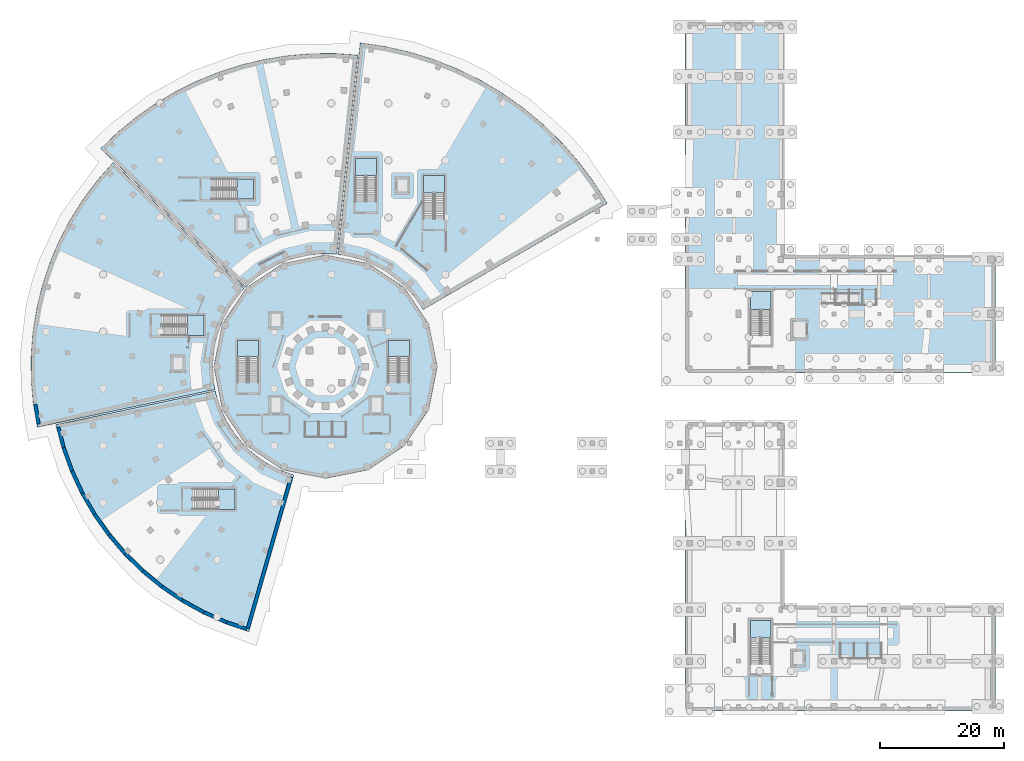
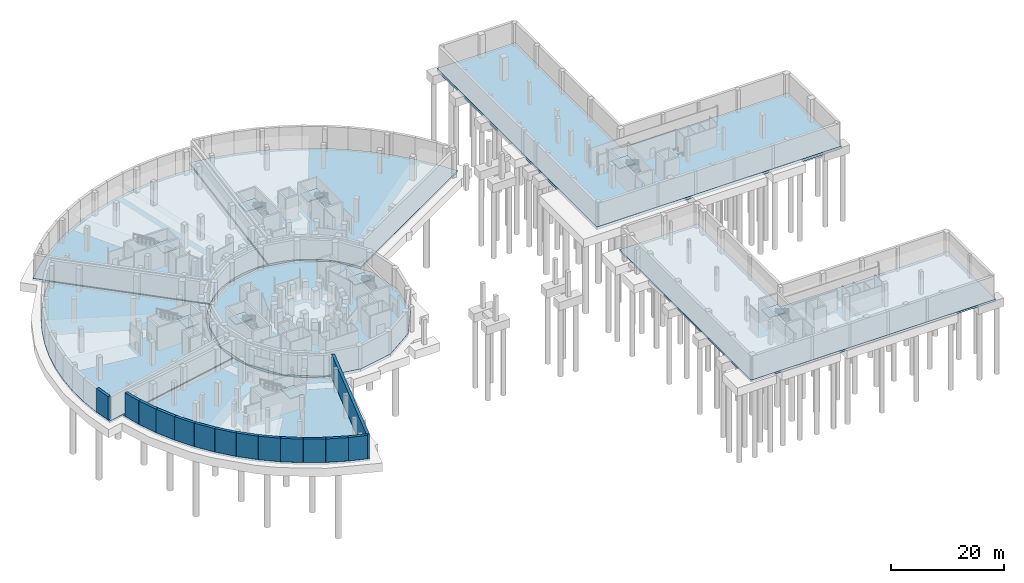
# One storey, part 7 of 33: 16 slabs, 14 walls, 9 elements without a shape of their own.
"""IFC4 building model written with IfcOpenShell, lengths in metres."""

from ifc_helpers import new_model, si_unit, direction, frame, frame_2d, origin, place, context, subcontext, project, spatial, polyline, rectangle, outline, extrude, material, layer, layer_set, type_object, element, aggregate, save


model = new_model("IFC4")

# Units and contexts
model_context = context("Model", 3, precision=1e-05, world=origin(), true_north=direction((0.0, 1.0)))
body_context = subcontext(model_context, "Body", "Model", "MODEL_VIEW")
ifc_project = project(units=[si_unit("LENGTHUNIT", "METRE"), si_unit("AREAUNIT", "SQUARE_METRE"), si_unit("VOLUMEUNIT", "CUBIC_METRE"), si_unit("PLANEANGLEUNIT", "RADIAN"), si_unit("MASSUNIT", "GRAM", prefix="KILO")], contexts=[model_context])

# Site, building, storey
site_placement = place(None, origin())
site = spatial("IfcSite", under=ifc_project, at=site_placement, CompositionType="ELEMENT")
building_placement = place(site_placement, origin())
building = spatial("IfcBuilding", under=site, at=building_placement, Name="Soyqirgoq Riverine Aquarium", CompositionType="ELEMENT")
storey_placement = place(building_placement, frame((0.0, 0.0, -5.39990234375)))
storey = spatial("IfcBuildingStorey", under=building, at=storey_placement, Name="B01", CompositionType="ELEMENT", Elevation=-5.39990234375)

# Slabs
ifc_material_1 = material(Name="Concrete C35/45", Category="concrete")
ifc_layer_1 = layer(ifc_material_1, 0.419921875)
ifc_layer_set_1 = layer_set([ifc_layer_1], Name="Concrete C35/45")
slab_type_1 = type_object("IfcSlabType", Name="BaseSlab_420_C35", PredefinedType="BASESLAB", material=ifc_layer_set_1)
slab_1_placement = place(storey_placement, frame((0.0, 0.0, -0.420166015625)))
element("IfcSlab", 1, at=slab_1_placement, inside=storey, type_object=slab_type_1, Name="V2 B01 Basement Base Slab", PredefinedType="BASESLAB", context=body_context, shape_type="SweptSolid", body=[
    extrude(outline(polyline([(38.205810546875, 53.105224609375), (12.5, 47.641357421875), (13.482421875, 43.86572265625), (14.837890625, 40.09033203125), (16.528076171875, 36.4521484375), (18.538818359375, 32.981201171875), (20.85400390625, 29.705078125), (23.454833984375, 26.651123046875), (26.320068359375, 23.843505859375), (29.426513671875, 21.305419921875), (32.748779296875, 19.0576171875), (36.260009765625, 17.117919921875), (39.931884765625, 15.502197265625), (43.6298828125, 14.259033203125), (50.87353515625, 39.52099609375), (49.421142578125, 40.00927734375), (49.109375, 40.146240234375), (49.02587890625, 40.1630859375), (48.9375, 40.221923828125), (47.917724609375, 40.670654296875), (46.47998046875, 41.46484375), (45.119873046875, 42.38525390625), (43.847900390625, 43.424560546875), (43.211669921875, 44.0478515625), (43.113525390625, 44.113525390625), (43.05419921875, 44.2021484375), (42.6748046875, 44.573974609375), (41.60986328125, 45.824462890625), (40.661865234375, 47.165771484375), (39.838623046875, 48.5869140625), (39.186767578125, 49.990234375), (39.1630859375, 50.02587890625), (38.591796875, 51.622314453125), (38.205810546875, 53.105224609375)])), origin(), (0.0, 0.0, 1.0), 0.420166015625),
])
slab_2_placement = place(storey_placement, frame((0.0, 0.0, -0.420166015625)))
element("IfcSlab", 2, at=slab_2_placement, inside=storey, type_object=slab_type_1, Name="V3 B01 Basement Base Slab", PredefinedType="BASESLAB", context=body_context, shape_type="SweptSolid", body=[
    extrude(outline(polyline([(41.014404296875, 67.363525390625), (41.9072265625, 68.54833984375), (42.8203125, 69.574462890625), (21.75830078125, 89.9140625), (19.260009765625, 87.10693359375), (16.932373046875, 84.01806640625), (14.86376953125, 80.75), (13.06787109375, 77.324462890625), (11.556640625, 73.76416015625), (10.340087890625, 70.0927734375), (9.42626953125, 66.33447265625), (8.8212890625, 62.514404296875), (8.52880859375, 58.65771484375), (8.551513671875, 54.7900390625), (8.888427734375, 50.93701171875), (9.51953125, 47.232666015625), (38.15966796875, 53.3203125), (37.928955078125, 54.67431640625), (37.7998046875, 56.15234375), (37.79541015625, 56.901123046875), (37.775634765625, 57.0), (37.794189453125, 57.09326171875), (37.791015625, 57.635986328125), (37.9033203125, 59.115234375), (38.13525390625, 60.58056640625), (38.48583984375, 62.022216796875), (38.952392578125, 63.430419921875), (39.14501953125, 63.884033203125), (39.1630859375, 63.97412109375), (39.21875, 64.0576171875), (39.531982421875, 64.7958984375), (40.220947265625, 66.110107421875), (41.014404296875, 67.363525390625)])), origin(), (0.0, 0.0, 1.0), 0.420166015625),
])
slab_3_placement = place(storey_placement, frame((0.0, 0.0, -0.420166015625)))
element("IfcSlab", 3, at=slab_3_placement, inside=storey, type_object=slab_type_1, Name="V4 B01 Basement Base Slab", PredefinedType="BASESLAB", context=body_context, shape_type="SweptSolid", body=[
    extrude(outline(polyline([(55.15234375, 75.2001953125), (55.91259765625, 75.206787109375), (56.0, 75.224365234375), (56.080078125, 75.20849609375), (56.52978515625, 75.21240234375), (57.794677734375, 75.127685546875), (61.1689453125, 107.230712890625), (57.46875, 107.478515625), (53.650390625, 107.4453125), (49.845703125, 107.12353515625), (46.075927734375, 106.515380859375), (42.363037109375, 105.623779296875), (38.72802734375, 104.45458984375), (35.19189453125, 103.013916015625), (31.7744140625, 101.31005859375), (28.49560546875, 99.352783203125), (25.374267578125, 97.153564453125), (22.427734375, 94.724853515625), (19.752685546875, 92.156494140625), (42.972900390625, 69.73291015625), (43.07861328125, 69.834228515625), (43.113525390625, 69.886474609375), (43.177490234375, 69.92919921875), (43.887451171875, 70.61083984375), (44.950439453125, 71.487060546875), (46.07666015625, 72.280517578125), (47.259521484375, 72.98681640625), (48.492431640625, 73.601318359375), (48.95556640625, 73.7900390625), (49.02587890625, 73.8369140625), (49.114013671875, 73.8544921875), (49.768310546875, 74.12109375), (51.079833984375, 74.543212890625), (52.41943359375, 74.86474609375), (53.779541015625, 75.084228515625), (55.15234375, 75.2001953125)])), origin(), (0.0, 0.0, 1.0), 0.420166015625),
])
slab_4_placement = place(storey_placement, frame((0.0, 0.0, -0.420166015625)))
element("IfcSlab", 4, at=slab_4_placement, inside=storey, type_object=slab_type_1, Name="V5 B01 Basement Base Slab", PredefinedType="BASESLAB", context=body_context, shape_type="SweptSolid", body=[
    extrude(outline(polyline([(70.15966796875, 68.46630859375), (71.015625, 67.31982421875), (71.72021484375, 66.203125), (101.40771484375, 83.343017578125), (99.2666015625, 86.736328125), (96.80029296875, 90.039306640625), (94.082275390625, 93.138671875), (91.12939453125, 96.01513671875), (87.9599609375, 98.651123046875), (84.593505859375, 101.0302734375), (81.05078125, 103.137939453125), (77.353759765625, 104.961181640625), (73.52490234375, 106.48876953125), (69.587890625, 107.711181640625), (65.5673828125, 108.620849609375), (61.5966796875, 109.196533203125), (58.013427734375, 75.1044921875), (59.3203125, 74.914794921875), (60.7158203125, 74.59912109375), (62.08203125, 74.1748046875), (62.8837890625, 73.85498046875), (62.97412109375, 73.8369140625), (63.041259765625, 73.792236328125), (63.41064453125, 73.644775390625), (64.69384765625, 73.011962890625), (65.92333984375, 72.280517578125), (67.091552734375, 71.454833984375), (68.191650390625, 70.5400390625), (68.81005859375, 69.9375), (68.886474609375, 69.886474609375), (68.931396484375, 69.8193359375), (69.21630859375, 69.541748046875), (70.15966796875, 68.46630859375)])), origin(), (0.0, 0.0, 1.0), 0.420166015625),
])
slab_5_placement = place(storey_placement, frame((0.0, 0.0, -0.420166015625)))
element("IfcSlab", 5, at=slab_5_placement, inside=storey, type_object=slab_type_1, Name="V6 B01 Basement Base Slab", PredefinedType="BASESLAB", context=body_context, shape_type="SweptSolid", body=[
    extrude(outline(polyline([(114.0, 1.5), (164.0, 1.5), (164.0, 18.5), (130.0, 18.5), (130.0, 48.0), (114.0, 48.0), (114.0, 1.5)])), origin(), (0.0, 0.0, 1.0), 0.420166015625),
])
ifc_material_2 = material(Name="Waterproof concrete C45/55", Category="concrete")
ifc_layer_2 = layer(ifc_material_2, 0.60009765625)
ifc_layer_set_2 = layer_set([ifc_layer_2], Name="Waterproof concrete C45/55")
slab_type_2 = type_object("IfcSlabType", Name="BaseSlab_600_C45", PredefinedType="BASESLAB", material=ifc_layer_set_2)
slab_6_placement = place(storey_placement, frame((0.0, 0.0, -0.60009765625)))
element("IfcSlab", 6, at=slab_6_placement, inside=storey, type_object=slab_type_2, Name="V1 B01 Basement Base Slab", PredefinedType="BASESLAB", context=body_context, shape_type="SweptSolid", body=[
    extrude(outline(polyline([(74.0, 57.0), (72.6298828125, 63.88818359375), (68.727783203125, 69.727783203125), (62.88818359375, 73.6298828125), (56.0, 75.0), (49.11181640625, 73.6298828125), (43.272216796875, 69.727783203125), (39.3701171875, 63.88818359375), (38.0, 57.0), (39.3701171875, 50.11181640625), (43.272216796875, 44.272216796875), (49.11181640625, 40.3701171875), (56.0, 39.0), (62.88818359375, 40.3701171875), (68.727783203125, 44.272216796875), (72.6298828125, 50.11181640625), (74.0, 57.0)])), origin(), (0.0, 0.0, 1.0), 0.60009765625),
])
slab_7_placement = place(storey_placement, frame((0.0, 0.0, -0.60009765625)))
element("IfcSlab", 7, at=slab_7_placement, inside=storey, type_object=slab_type_2, Name="V7 B01 Basement Base Slab", PredefinedType="BASESLAB", context=body_context, shape_type="SweptSolid", body=[
    extrude(outline(polyline([(114.0, 56.0), (164.0, 56.0), (164.0, 75.0), (130.0, 75.0), (130.0, 112.5), (114.0, 112.5), (114.0, 56.0)])), origin(), (0.0, 0.0, 1.0), 0.60009765625),
])

# Stair, slab
ifc_material_3 = material(Name="Concrete C35/45", Category="concrete")
stair_type = type_object("IfcStairType", Name="CoreDoglegStair_RC", PredefinedType="HALF_TURN_STAIR", material=ifc_material_3)
stair_1_placement = place(storey_placement, origin())
stair_1 = element("IfcStair", 8, at=stair_1_placement, inside=storey, type_object=stair_type, Name="B01 Enclosed Exit Stair ST-1", PredefinedType="HALF_TURN_STAIR")
ifc_material_4 = material(Name="Concrete C35/45", Category="concrete")
ifc_layer_3 = layer(ifc_material_4, 0.199951171875)
ifc_layer_set_3 = layer_set([ifc_layer_3], Name="Concrete C35/45")
slab_type_3 = type_object("IfcSlabType", Name="CoreStairLanding_RC", PredefinedType="LANDING", material=ifc_layer_set_3)
slab_8_placement = place(storey_placement, frame((0.0, 0.0, 2.5)))
slab_8 = element("IfcSlab", 9, at=slab_8_placement, type_object=slab_type_3, Name="ST-1 landing 1", PredefinedType="LANDING", context=body_context, shape_type="SweptSolid", body=[
    extrude(outline(polyline([(69.5, 58.60009765625), (69.5, 61.199951171875), (66.10009765625, 61.199951171875), (66.10009765625, 58.60009765625), (69.5, 58.60009765625)])), origin(), (0.0, 0.0, 1.0), 0.199951171875),
])
aggregate(stair_1, [slab_8])

stair_2_placement = place(storey_placement, origin())
stair_2 = element("IfcStair", 10, at=stair_2_placement, inside=storey, type_object=stair_type, Name="B01 Enclosed Exit Stair ST-9", PredefinedType="HALF_TURN_STAIR")
slab_9_placement = place(storey_placement, frame((0.0, 0.0, 2.5)))
slab_9 = element("IfcSlab", 11, at=slab_9_placement, type_object=slab_type_3, Name="ST-9 landing 1", PredefinedType="LANDING", context=body_context, shape_type="SweptSolid", body=[
    extrude(outline(polyline([(45.199951171875, 58.60009765625), (45.199951171875, 61.199951171875), (41.800048828125, 61.199951171875), (41.800048828125, 58.60009765625), (45.199951171875, 58.60009765625)])), origin(), (0.0, 0.0, 1.0), 0.199951171875),
])
aggregate(stair_2, [slab_9])

stair_3_placement = place(storey_placement, origin())
stair_3 = element("IfcStair", 12, at=stair_3_placement, inside=storey, type_object=stair_type, Name="B01 Enclosed Exit Stair ST-2", PredefinedType="HALF_TURN_STAIR")
slab_10_placement = place(storey_placement, frame((0.0, 0.0, 2.5)))
slab_10 = element("IfcSlab", 13, at=slab_10_placement, type_object=slab_type_3, Name="ST-2 landing 1", PredefinedType="LANDING", context=body_context, shape_type="SweptSolid", body=[
    extrude(outline(polyline([(38.75, 34.0), (41.39990234375, 34.0), (41.39990234375, 37.300048828125), (38.75, 37.300048828125), (38.75, 34.0)])), origin(), (0.0, 0.0, 1.0), 0.199951171875),
])
aggregate(stair_3, [slab_10])

stair_4_placement = place(storey_placement, origin())
stair_4 = element("IfcStair", 14, at=stair_4_placement, inside=storey, type_object=stair_type, Name="B01 Enclosed Exit Stair ST-3", PredefinedType="HALF_TURN_STAIR")
slab_11_placement = place(storey_placement, frame((0.0, 0.0, 2.5)))
slab_11 = element("IfcSlab", 15, at=slab_11_placement, type_object=slab_type_3, Name="ST-3 landing 1", PredefinedType="LANDING", context=body_context, shape_type="SweptSolid", body=[
    extrude(outline(polyline([(33.75, 62.0), (36.39990234375, 62.0), (36.39990234375, 65.300048828125), (33.75, 65.300048828125), (33.75, 62.0)])), origin(), (0.0, 0.0, 1.0), 0.199951171875),
])
aggregate(stair_4, [slab_11])

stair_5_placement = place(storey_placement, origin())
stair_5 = element("IfcStair", 16, at=stair_5_placement, inside=storey, type_object=stair_type, Name="B01 Enclosed Exit Stair ST-4", PredefinedType="HALF_TURN_STAIR")
slab_12_placement = place(storey_placement, frame((0.0, 0.0, 2.5)))
slab_12 = element("IfcSlab", 17, at=slab_12_placement, type_object=slab_type_3, Name="ST-4 landing 1", PredefinedType="LANDING", context=body_context, shape_type="SweptSolid", body=[
    extrude(outline(polyline([(41.75, 84.0), (44.39990234375, 84.0), (44.39990234375, 87.300048828125), (41.75, 87.300048828125), (41.75, 84.0)])), origin(), (0.0, 0.0, 1.0), 0.199951171875),
])
aggregate(stair_5, [slab_12])

stair_6_placement = place(storey_placement, origin())
stair_6 = element("IfcStair", 18, at=stair_6_placement, inside=storey, type_object=stair_type, Name="B01 Enclosed Exit Stair ST-5", PredefinedType="HALF_TURN_STAIR")
slab_13_placement = place(storey_placement, frame((0.0, 0.0, 2.5)))
slab_13 = element("IfcSlab", 19, at=slab_13_placement, type_object=slab_type_3, Name="ST-5 landing 1", PredefinedType="LANDING", context=body_context, shape_type="SweptSolid", body=[
    extrude(outline(polyline([(64.199951171875, 87.800048828125), (64.199951171875, 90.60009765625), (60.800048828125, 90.60009765625), (60.800048828125, 87.800048828125), (64.199951171875, 87.800048828125)])), origin(), (0.0, 0.0, 1.0), 0.199951171875),
])
aggregate(stair_6, [slab_13])

stair_7_placement = place(storey_placement, origin())
stair_7 = element("IfcStair", 20, at=stair_7_placement, inside=storey, type_object=stair_type, Name="B01 Enclosed Exit Stair ST-6", PredefinedType="HALF_TURN_STAIR")
slab_14_placement = place(storey_placement, frame((0.0, 0.0, 2.5)))
slab_14 = element("IfcSlab", 21, at=slab_14_placement, type_object=slab_type_3, Name="ST-6 landing 1", PredefinedType="LANDING", context=body_context, shape_type="SweptSolid", body=[
    extrude(outline(polyline([(75.199951171875, 85.0), (75.199951171875, 87.800048828125), (71.800048828125, 87.800048828125), (71.800048828125, 85.0), (75.199951171875, 85.0)])), origin(), (0.0, 0.0, 1.0), 0.199951171875),
])
aggregate(stair_7, [slab_14])

stair_8_placement = place(storey_placement, origin())
stair_8 = element("IfcStair", 22, at=stair_8_placement, inside=storey, type_object=stair_type, Name="B01 Enclosed Exit Stair ST-7", PredefinedType="HALF_TURN_STAIR")
slab_15_placement = place(storey_placement, frame((0.0, 0.0, 2.5)))
slab_15 = element("IfcSlab", 23, at=slab_15_placement, type_object=slab_type_3, Name="ST-7 landing 1", PredefinedType="LANDING", context=body_context, shape_type="SweptSolid", body=[
    extrude(outline(polyline([(127.800048828125, 13.25), (127.800048828125, 16.10009765625), (124.5, 16.10009765625), (124.5, 13.25), (127.800048828125, 13.25)])), origin(), (0.0, 0.0, 1.0), 0.199951171875),
])
aggregate(stair_8, [slab_15])

stair_9_placement = place(storey_placement, origin())
stair_9 = element("IfcStair", 24, at=stair_9_placement, inside=storey, type_object=stair_type, Name="B01 Enclosed Exit Stair ST-8", PredefinedType="HALF_TURN_STAIR")
slab_16_placement = place(storey_placement, frame((0.0, 0.0, 2.5)))
slab_16 = element("IfcSlab", 25, at=slab_16_placement, type_object=slab_type_3, Name="ST-8 landing 1", PredefinedType="LANDING", context=body_context, shape_type="SweptSolid", body=[
    extrude(outline(polyline([(127.800048828125, 66.25), (127.800048828125, 69.10009765625), (124.5, 69.10009765625), (124.5, 66.25), (127.800048828125, 66.25)])), origin(), (0.0, 0.0, 1.0), 0.199951171875),
])
aggregate(stair_9, [slab_16])

# Walls
ifc_material_5 = material(Name="Concrete C35/45", Category="concrete")
ifc_layer_4 = layer(ifc_material_5, 0.550048828125)
ifc_layer_set_4 = layer_set([ifc_layer_4], Name="Concrete C35/45")
wall_type = type_object("IfcWallType", Name="RetainingWall_550_C35", PredefinedType="USERDEFINED", material=ifc_layer_set_4)
wall_1_placement = place(storey_placement, frame((50.47021484375, 39.20263671875, 0.0), z_axis=(0.0, 0.0, 1.0), x_axis=(-0.275637153173, -0.961261754046, 0.0)))
element("IfcWall", 26, at=wall_1_placement, inside=storey, type_object=wall_type, Name="V2 B01 Perimeter Retaining Wall 027", ObjectType="RETAININGWALL", PredefinedType="USERDEFINED", context=body_context, shape_type="SweptSolid", body=[
    extrude(rectangle(XDim=25.41162109375, YDim=0.550048828125, at=frame_2d((12.705810546875, 0.0))), origin(), (0.0, 0.0, 1.0), 5.0498046875),
])
wall_2_placement = place(storey_placement, frame((43.297607421875, 14.687255859375, 0.0), z_axis=(0.0, 0.0, 1.0), x_axis=(-0.947874518371, 0.318643841026, 0.0)))
element("IfcWall", 27, at=wall_2_placement, inside=storey, type_object=wall_type, Name="V2 B01 Perimeter Retaining Wall 028", ObjectType="RETAININGWALL", PredefinedType="USERDEFINED", context=body_context, shape_type="SweptSolid", body=[
    extrude(rectangle(XDim=3.424072265625, YDim=0.550048828125, at=frame_2d((1.7119140625, 0.0))), origin(), (0.0, 0.0, 1.0), 5.0498046875),
])
wall_3_placement = place(storey_placement, frame((40.02880859375, 15.787109375, 0.0), z_axis=(0.0, 0.0, 1.0), x_axis=(-0.915300484385, 0.402771676368, 0.0)))
element("IfcWall", 28, at=wall_3_placement, inside=storey, type_object=wall_type, Name="V2 B01 Perimeter Retaining Wall 029", ObjectType="RETAININGWALL", PredefinedType="USERDEFINED", context=body_context, shape_type="SweptSolid", body=[
    extrude(rectangle(XDim=3.95947265625, YDim=0.550048828125, at=frame_2d((1.979736328125, 0.0))), origin(), (0.0, 0.0, 1.0), 5.0498046875),
])
wall_4_placement = place(storey_placement, frame((36.382568359375, 17.392822265625, 0.0), z_axis=(0.0, 0.0, 1.0), x_axis=(-0.875312273659, 0.483558087082, 0.0)))
element("IfcWall", 29, at=wall_4_placement, inside=storey, type_object=wall_type, Name="V2 B01 Perimeter Retaining Wall 030", ObjectType="RETAININGWALL", PredefinedType="USERDEFINED", context=body_context, shape_type="SweptSolid", body=[
    extrude(rectangle(XDim=3.959716796875, YDim=0.550048828125, at=frame_2d((1.97998046875, 0.0))), origin(), (0.0, 0.0, 1.0), 5.0498046875),
])
wall_5_placement = place(storey_placement, frame((32.8955078125, 19.320556640625, 0.0), z_axis=(0.0, 0.0, 1.0), x_axis=(-0.828255638441, 0.560350423744, 0.0)))
element("IfcWall", 30, at=wall_5_placement, inside=storey, type_object=wall_type, Name="V2 B01 Perimeter Retaining Wall 031", ObjectType="RETAININGWALL", PredefinedType="USERDEFINED", context=body_context, shape_type="SweptSolid", body=[
    extrude(rectangle(XDim=3.95947265625, YDim=0.550048828125, at=frame_2d((1.979736328125, 0.0))), origin(), (0.0, 0.0, 1.0), 5.0498046875),
])
wall_6_placement = place(storey_placement, frame((29.59619140625, 21.55419921875, 0.0), z_axis=(0.0, 0.0, 1.0), x_axis=(-0.774391146623, 0.632707161357, 0.0)))
element("IfcWall", 31, at=wall_6_placement, inside=storey, type_object=wall_type, Name="V2 B01 Perimeter Retaining Wall 032", ObjectType="RETAININGWALL", PredefinedType="USERDEFINED", context=body_context, shape_type="SweptSolid", body=[
    extrude(rectangle(XDim=3.959716796875, YDim=0.550048828125, at=frame_2d((1.97998046875, 0.0))), origin(), (0.0, 0.0, 1.0), 5.0498046875),
])
wall_7_placement = place(storey_placement, frame((26.511474609375, 24.075927734375, 0.0), z_axis=(0.0, 0.0, 1.0), x_axis=(-0.714253524326, 0.699887064453, 0.0)))
element("IfcWall", 32, at=wall_7_placement, inside=storey, type_object=wall_type, Name="V2 B01 Perimeter Retaining Wall 033", ObjectType="RETAININGWALL", PredefinedType="USERDEFINED", context=body_context, shape_type="SweptSolid", body=[
    extrude(rectangle(XDim=3.95947265625, YDim=0.550048828125, at=frame_2d((1.979736328125, 0.0))), origin(), (0.0, 0.0, 1.0), 5.0498046875),
])
wall_8_placement = place(storey_placement, frame((23.66650390625, 26.865234375, 0.0), z_axis=(0.0, 0.0, 1.0), x_axis=(-0.648371173375, 0.761324386538, 0.0)))
element("IfcWall", 33, at=wall_8_placement, inside=storey, type_object=wall_type, Name="V2 B01 Perimeter Retaining Wall 034", ObjectType="RETAININGWALL", PredefinedType="USERDEFINED", context=body_context, shape_type="SweptSolid", body=[
    extrude(rectangle(XDim=3.959716796875, YDim=0.550048828125, at=frame_2d((1.97998046875, 0.0))), origin(), (0.0, 0.0, 1.0), 5.0498046875),
])
wall_9_placement = place(storey_placement, frame((21.083984375, 29.8994140625, 0.0), z_axis=(0.0, 0.0, 1.0), x_axis=(-0.577118851072, 0.816660169065, 0.0)))
element("IfcWall", 34, at=wall_9_placement, inside=storey, type_object=wall_type, Name="V2 B01 Perimeter Retaining Wall 035", ObjectType="RETAININGWALL", PredefinedType="USERDEFINED", context=body_context, shape_type="SweptSolid", body=[
    extrude(rectangle(XDim=3.95947265625, YDim=0.550048828125, at=frame_2d((1.979736328125, 0.0))), origin(), (0.0, 0.0, 1.0), 5.0498046875),
])
for number, where, z_axis, x_axis, name in (
    (35, (18.785400390625, 33.15380859375, 0.0), (0.0, 0.0, 1.0), (-0.501269575894, 0.865291171967, 0.0), "V2 B01 Perimeter Retaining Wall 036"),
    (36, (16.789306640625, 36.60205078125, 0.0), (0.0, 0.0, 1.0), (-0.421305132748, 0.906918951792, 0.0), "V2 B01 Perimeter Retaining Wall 037"),
):
    element("IfcWall", number, at=place(storey_placement, frame(where, z_axis=z_axis, x_axis=x_axis)), inside=storey, type_object=wall_type, Name=name, ObjectType="RETAININGWALL", PredefinedType="USERDEFINED", context=body_context, shape_type="SweptSolid", body=[
        extrude(rectangle(XDim=3.959716796875, YDim=0.550048828125, at=frame_2d((1.97998046875, 0.0))), origin(), (0.0, 0.0, 1.0), 5.0498046875),
    ])
wall_10_placement = place(storey_placement, frame((15.111572265625, 40.216064453125, 0.0), z_axis=(0.0, 0.0, 1.0), x_axis=(-0.337898366686, 0.94118260385, 0.0)))
element("IfcWall", 37, at=wall_10_placement, inside=storey, type_object=wall_type, Name="V2 B01 Perimeter Retaining Wall 038", ObjectType="RETAININGWALL", PredefinedType="USERDEFINED", context=body_context, shape_type="SweptSolid", body=[
    extrude(rectangle(XDim=3.95947265625, YDim=0.550048828125, at=frame_2d((1.979736328125, 0.0))), origin(), (0.0, 0.0, 1.0), 5.0498046875),
])
wall_11_placement = place(storey_placement, frame((13.766357421875, 43.96630859375, 0.0), z_axis=(0.0, 0.0, 1.0), x_axis=(-0.251835541102, 0.967770045123, 0.0)))
element("IfcWall", 38, at=wall_11_placement, inside=storey, type_object=wall_type, Name="V2 B01 Perimeter Retaining Wall 039", ObjectType="RETAININGWALL", PredefinedType="USERDEFINED", context=body_context, shape_type="SweptSolid", body=[
    extrude(rectangle(XDim=3.424072265625, YDim=0.550048828125, at=frame_2d((1.7119140625, 0.0))), origin(), (0.0, 0.0, 1.0), 5.0498046875),
])
wall_12_placement = place(storey_placement, frame((9.73974609375, 47.726806640625, 0.0), z_axis=(0.0, 0.0, 1.0), x_axis=(-0.167930002591, 0.985798921804, 0.0)))
element("IfcWall", 39, at=wall_12_placement, inside=storey, type_object=wall_type, Name="V3 B01 Perimeter Retaining Wall 047", ObjectType="RETAININGWALL", PredefinedType="USERDEFINED", context=body_context, shape_type="SweptSolid", body=[
    extrude(rectangle(XDim=3.2841796875, YDim=0.550048828125, at=frame_2d((1.64208984375, 0.0))), origin(), (0.0, 0.0, 1.0), 5.0498046875),
])

save(model, "model.ifc")
